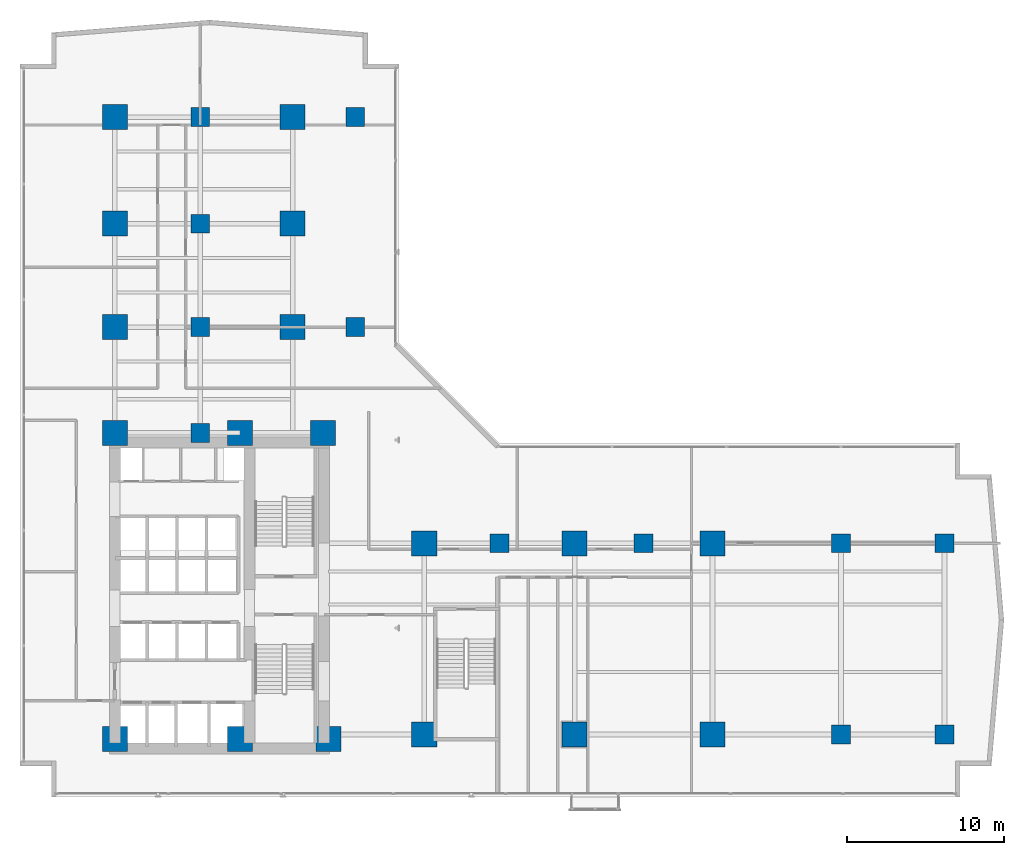
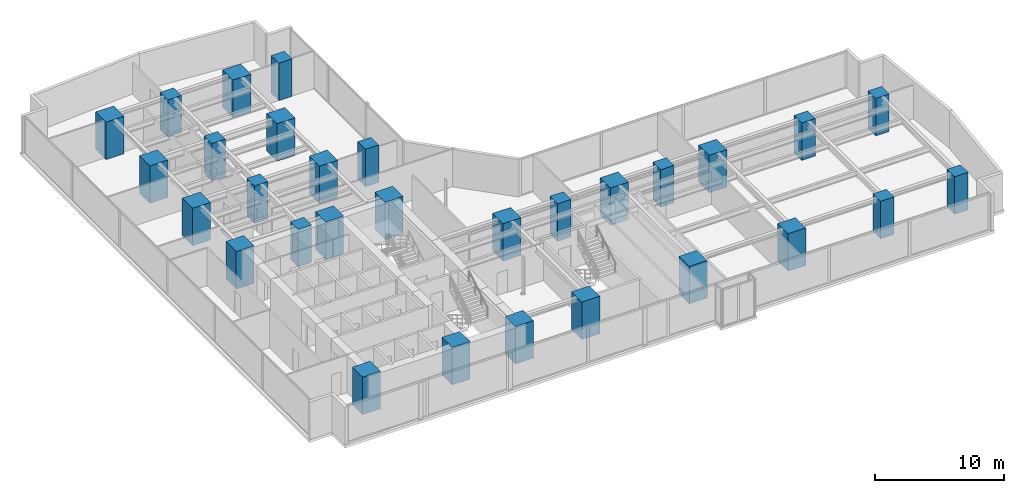
# One storey, part 1 of 28: 30 columns.
"""IFC4 building model written with IfcOpenShell, lengths in metres."""

from ifc_helpers import new_model, si_unit, direction, frame, origin, origin_2d, place, context, subcontext, project, spatial, rectangle, extrude, material, material_profile, profile_set, type_object, element, save


model = new_model("IFC4")

# Units and contexts
model_context = context("Model", 3, precision=1e-05, world=origin(), true_north=direction((0.0, 1.0)))
body_context = subcontext(model_context, "Body", "Model", "MODEL_VIEW")
ifc_project = project(units=[si_unit("LENGTHUNIT", "METRE"), si_unit("AREAUNIT", "SQUARE_METRE"), si_unit("VOLUMEUNIT", "CUBIC_METRE"), si_unit("PLANEANGLEUNIT", "RADIAN"), si_unit("MASSUNIT", "GRAM", prefix="KILO")], contexts=[model_context])

# Site, building, storey
site_placement = place(None, origin())
site = spatial("IfcSite", under=ifc_project, at=site_placement, CompositionType="ELEMENT")
building_placement = place(site_placement, origin())
building = spatial("IfcBuilding", under=site, at=building_placement, Name="Kolvaren Waterfront Exchange", CompositionType="ELEMENT")
storey_placement = place(building_placement, frame((0.0, 0.0, 41.0)))
storey = spatial("IfcBuildingStorey", under=building, at=storey_placement, Name="L10", CompositionType="ELEMENT", Elevation=41.0)

# Columns
ifc_material = material(Name="Concrete C70/85", Category="concrete")
ifc_material_profile_1 = material_profile(ifc_material, rectangle(XDim=1.199951171875, YDim=1.199951171875, at=origin_2d()), Name="RC-COL-1200x1200")
ifc_profile_set_1 = profile_set([ifc_material_profile_1], Name="Concrete C70/85")
column_type_1 = type_object("IfcColumnType", Name="STR-COL-1200-C70", PredefinedType="COLUMN", material=ifc_profile_set_1)
for number, where, z_axis, x_axis, name in (
    (1, (53.800048828125, 5.199951171875, 0.0), (0.0, 0.0, 1.0), (1.0, 0.0, 0.0), "L10 column ZC01"),
    (2, (53.800048828125, 17.39990234375, 0.0), (0.0, 0.0, 1.0), (1.0, 0.0, 0.0), "L10 column ZC02"),
    (3, (60.39990234375, 5.199951171875, 0.0), (0.0, 0.0, 1.0), (1.0, 0.0, 0.0), "L10 column ZC03"),
    (4, (60.39990234375, 17.39990234375, 0.0), (0.0, 0.0, 1.0), (1.0, 0.0, 0.0), "L10 column ZC04"),
    (5, (22.800048828125, 31.199951171875, 0.0), (0.0, 0.0, 1.0), (1.0, 0.0, 0.0), "L10 column ZC05"),
    (6, (22.800048828125, 44.60009765625, 0.0), (0.0, 0.0, 1.0), (1.0, 0.0, 0.0), "L10 column ZC06"),
    (7, (12.89990234375, 24.449951171875, 0.0), (0.0, 0.0, 1.0), (1.0, 0.0, 0.0), "L10 column TC01"),
    (8, (12.89990234375, 31.199951171875, 0.0), (0.0, 0.0, 1.0), (1.0, 0.0, 0.0), "L10 column TC02"),
    (9, (12.89990234375, 37.800048828125, 0.0), (0.0, 0.0, 1.0), (1.0, 0.0, 0.0), "L10 column TC03"),
    (10, (12.89990234375, 44.60009765625, 0.0), (0.0, 0.0, 1.0), (1.0, 0.0, 0.0), "L10 column TC04"),
    (11, (32.0, 17.39990234375, 0.0), (0.0, 0.0, 1.0), (1.0, 0.0, 0.0), "L10 column TC05"),
    (12, (41.199951171875, 17.39990234375, 0.0), (0.0, 0.0, 1.0), (1.0, 0.0, 0.0), "L10 column TC06"),
):
    element("IfcColumn", number, at=place(storey_placement, frame(where, z_axis=z_axis, x_axis=x_axis)), inside=storey, type_object=column_type_1, Name=name, PredefinedType="COLUMN", context=body_context, shape_type="SweptSolid", body=[
        extrude(rectangle(XDim=1.199951171875, YDim=1.199951171875, at=origin_2d()), origin(), (0.0, 0.0, 1.0), 3.5400390625),
    ])
ifc_material_profile_2 = material_profile(ifc_material, rectangle(XDim=1.60009765625, YDim=1.60009765625, at=origin_2d()), Name="RC-COL-1600x1600")
ifc_profile_set_2 = profile_set([ifc_material_profile_2], Name="Concrete C70/85")
column_type_2 = type_object("IfcColumnType", Name="STR-COL-1600-C70", PredefinedType="COLUMN", material=ifc_profile_set_2)
for number, where, z_axis, x_axis, name in (
    (13, (7.449951171875, 4.89990234375, 0.0), (0.0, 0.0, 1.0), (1.0, 0.0, 0.0), "L10 column MC01"),
    (14, (15.449951171875, 4.89990234375, 0.0), (0.0, 0.0, 1.0), (1.0, 0.0, 0.0), "L10 column MC02"),
    (15, (21.10009765625, 4.89990234375, 0.0), (0.0, 0.0, 1.0), (1.0, 0.0, 0.0), "L10 column MC03"),
    (16, (7.449951171875, 24.449951171875, 0.0), (0.0, 0.0, 1.0), (1.0, 0.0, 0.0), "L10 column MC04"),
    (17, (15.449951171875, 24.449951171875, 0.0), (0.0, 0.0, 1.0), (1.0, 0.0, 0.0), "L10 column MC05"),
    (18, (20.75, 24.449951171875, 0.0), (0.0, 0.0, 1.0), (1.0, 0.0, 0.0), "L10 column MC06"),
    (19, (7.449951171875, 31.199951171875, 0.0), (0.0, 0.0, 1.0), (1.0, 0.0, 0.0), "L10 column NC01"),
    (20, (7.449951171875, 37.800048828125, 0.0), (0.0, 0.0, 1.0), (1.0, 0.0, 0.0), "L10 column NC02"),
    (21, (7.449951171875, 44.60009765625, 0.0), (0.0, 0.0, 1.0), (1.0, 0.0, 0.0), "L10 column NC03"),
    (22, (18.800048828125, 31.199951171875, 0.0), (0.0, 0.0, 1.0), (1.0, 0.0, 0.0), "L10 column NC04"),
    (23, (18.800048828125, 37.800048828125, 0.0), (0.0, 0.0, 1.0), (1.0, 0.0, 0.0), "L10 column NC05"),
    (24, (18.800048828125, 44.60009765625, 0.0), (0.0, 0.0, 1.0), (1.0, 0.0, 0.0), "L10 column NC06"),
    (25, (27.199951171875, 5.199951171875, 0.0), (0.0, 0.0, 1.0), (1.0, 0.0, 0.0), "L10 column EC01"),
    (26, (36.800048828125, 5.199951171875, 0.0), (0.0, 0.0, 1.0), (1.0, 0.0, 0.0), "L10 column EC02"),
    (27, (45.60009765625, 5.199951171875, 0.0), (0.0, 0.0, 1.0), (1.0, 0.0, 0.0), "L10 column EC03"),
    (28, (27.199951171875, 17.39990234375, 0.0), (0.0, 0.0, 1.0), (1.0, 0.0, 0.0), "L10 column EC04"),
    (29, (36.800048828125, 17.39990234375, 0.0), (0.0, 0.0, 1.0), (1.0, 0.0, 0.0), "L10 column EC05"),
    (30, (45.60009765625, 17.39990234375, 0.0), (0.0, 0.0, 1.0), (1.0, 0.0, 0.0), "L10 column EC06"),
):
    element("IfcColumn", number, at=place(storey_placement, frame(where, z_axis=z_axis, x_axis=x_axis)), inside=storey, type_object=column_type_2, Name=name, PredefinedType="COLUMN", context=body_context, shape_type="SweptSolid", body=[
        extrude(rectangle(XDim=1.60009765625, YDim=1.60009765625, at=origin_2d()), origin(), (0.0, 0.0, 1.0), 3.5400390625),
    ])

save(model, "model.ifc")
